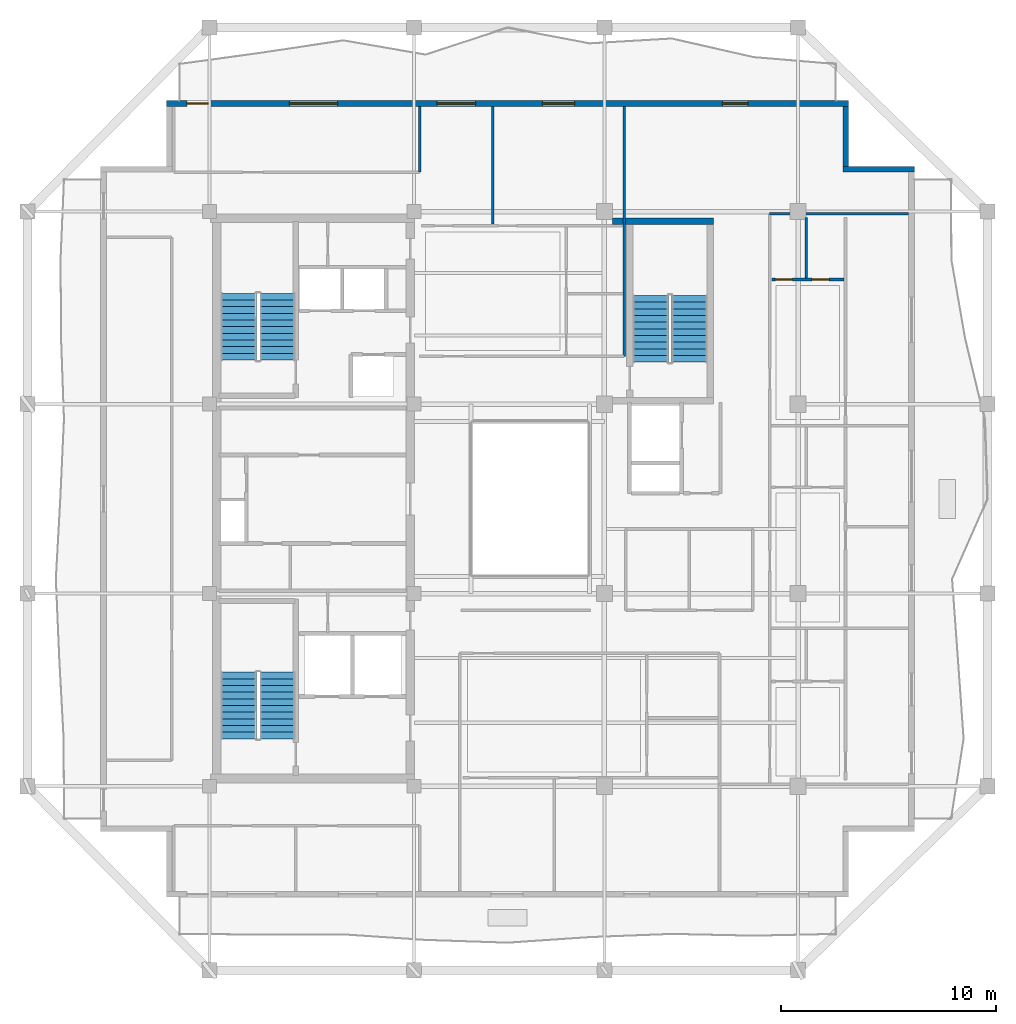
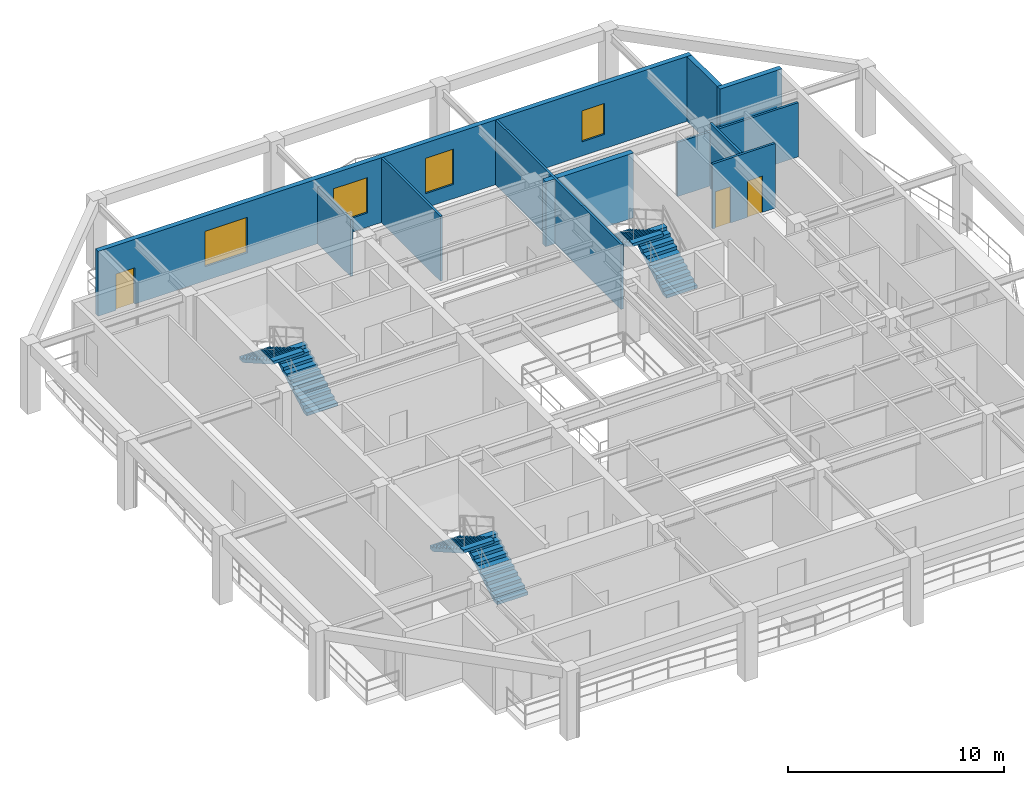
# One storey, part 6 of 10: 10 walls, 6 stair flights, 4 windows, 3 doors, 7 openings, 3 elements without a shape of their own.
"""IFC4 building model written with IfcOpenShell, lengths in metres."""

from ifc_helpers import new_model, si_unit, direction, frame, frame_2d, origin, place, context, subcontext, project, spatial, polyline, rectangle, outline, extrude, material, layer, layer_set, type_object, element, fill, aggregate, save


model = new_model("IFC4")

# Units and contexts
model_context = context("Model", 3, precision=1e-05, world=origin(), true_north=direction((0.0, 1.0)))
body_context = subcontext(model_context, "Body", "Model", "MODEL_VIEW")
ifc_project = project(units=[si_unit("LENGTHUNIT", "METRE"), si_unit("AREAUNIT", "SQUARE_METRE"), si_unit("VOLUMEUNIT", "CUBIC_METRE"), si_unit("PLANEANGLEUNIT", "RADIAN"), si_unit("MASSUNIT", "GRAM", prefix="KILO")], contexts=[model_context])

# Site, building, storey
site_placement = place(None, origin())
site = spatial("IfcSite", under=ifc_project, at=site_placement, CompositionType="ELEMENT")
building_placement = place(site_placement, origin())
building = spatial("IfcBuilding", under=site, at=building_placement, Name="Kundavana Baori Tower", CompositionType="ELEMENT")
storey_placement = place(building_placement, frame((0.0, 0.0, 288.199951171875)))
storey = spatial("IfcBuildingStorey", under=building, at=storey_placement, Name="L71", CompositionType="ELEMENT", Elevation=288.199951171875)

# Walls
ifc_material_1 = material(Name="Kiln-Fired Terracotta Brick-Slip Masonry on Concrete C40/50", Category="masonry")
ifc_layer_1 = layer(ifc_material_1, 0.260009765625, Name="WL-EXT-BRK-260")
ifc_layer_set_1 = layer_set([ifc_layer_1], Name="Kiln-Fired Terracotta Brick-Slip Masonry on Concrete C40/50")
wall_type_1 = type_object("IfcWallType", Name="WL-EXT-BRK-260", PredefinedType="SOLIDWALL", material=ifc_layer_set_1)
wall_1_placement = place(storey_placement, frame((48.199951171875, 43.919921875, 0.0), z_axis=(0.0, 0.0, 1.0), x_axis=(-1.0, 0.0, 0.0)))
element("IfcWall", 1, at=wall_1_placement, inside=storey, type_object=wall_type_1, Name="L71 Exterior Insulated Facade Wall 05", PredefinedType="SOLIDWALL", context=body_context, shape_type="SweptSolid", body=[
    extrude(rectangle(XDim=3.31005859375, YDim=0.260009765625, at=frame_2d((1.655029296875, 0.0))), origin(), (0.0, 0.0, 1.0), 3.66015625),
])
wall_2_placement = place(storey_placement, frame((45.02001953125, 44.050048828125, 0.0), z_axis=(0.0, 0.0, 1.0), x_axis=(0.0, 1.0, 0.0)))
element("IfcWall", 2, at=wall_2_placement, inside=storey, type_object=wall_type_1, Name="L71 Exterior Insulated Facade Wall 06", PredefinedType="SOLIDWALL", context=body_context, shape_type="SweptSolid", body=[
    extrude(rectangle(XDim=2.7900390625, YDim=0.260009765625, at=frame_2d((1.39501953125, 0.0))), origin(), (0.0, 0.0, 1.0), 3.66015625),
])

# Wall, openings, door, windows
wall_3_placement = place(storey_placement, frame((45.14990234375, 46.969970703125, 0.0), z_axis=(0.0, 0.0, 1.0), x_axis=(-1.0, 0.0, 0.0)))
wall_3 = element("IfcWall", 3, at=wall_3_placement, inside=storey, type_object=wall_type_1, Name="L71 Exterior Insulated Facade Wall 07", PredefinedType="SOLIDWALL", context=body_context, shape_type="SweptSolid", body=[
    extrude(rectangle(XDim=31.699951171875, YDim=0.260009765625, at=frame_2d((15.85009765625, 0.0))), origin(), (0.0, 0.0, 1.0), 3.66015625),
])
opening_1_placement = place(wall_3_placement, frame((29.75, 0.0, 0.0)))
opening_1 = element("IfcOpeningElement", 4, at=opening_1_placement, cuts=wall_3, Name="Opening BD-1", PredefinedType="OPENING", context=body_context, shape_type="SweptSolid", body=[
    extrude(rectangle(XDim=1.0, YDim=2.050048828125, at=frame_2d((0.5, 1.02490234375))), frame((0.0, 0.14013671875, 0.0), z_axis=(0.0, -1.0, 0.0), x_axis=(1.0, 0.0, 0.0)), (0.0, 0.0, 1.0), 0.280029296875),
])
opening_2_placement = place(wall_3_placement, frame((23.739990234375, 0.0, 0.800048828125)))
opening_2 = element("IfcOpeningElement", 5, at=opening_2_placement, cuts=wall_3, Name="Opening W-10", PredefinedType="OPENING", context=body_context, shape_type="SweptSolid", body=[
    extrude(rectangle(XDim=2.25, YDim=2.0, at=frame_2d((1.125, 1.0))), frame((0.0, 0.14013671875, 0.0), z_axis=(0.0, -1.0, 0.0), x_axis=(1.0, 0.0, 0.0)), (0.0, 0.0, 1.0), 0.280029296875),
])
opening_3_placement = place(wall_3_placement, frame((17.327880859375, 0.0, 0.800048828125)))
opening_3 = element("IfcOpeningElement", 6, at=opening_3_placement, cuts=wall_3, Name="Opening W-01", PredefinedType="OPENING", context=body_context, shape_type="SweptSolid", body=[
    extrude(rectangle(XDim=1.800048828125, YDim=2.0, at=frame_2d((0.89990234375, 1.0))), frame((0.0, 0.14013671875, 0.0), z_axis=(0.0, -1.0, 0.0), x_axis=(1.0, 0.0, 0.0)), (0.0, 0.0, 1.0), 0.280029296875),
])
opening_4_placement = place(wall_3_placement, frame((12.72802734375, 0.0, 0.800048828125)))
opening_4 = element("IfcOpeningElement", 7, at=opening_4_placement, cuts=wall_3, Name="Opening W-02", PredefinedType="OPENING", context=body_context, shape_type="SweptSolid", body=[
    extrude(rectangle(XDim=1.5, YDim=2.0, at=frame_2d((0.75, 1.0))), frame((0.0, 0.14013671875, 0.0), z_axis=(0.0, -1.0, 0.0), x_axis=(1.0, 0.0, 0.0)), (0.0, 0.0, 1.0), 0.280029296875),
])
opening_5_placement = place(wall_3_placement, frame((4.669921875, 0.0, 0.800048828125)))
opening_5 = element("IfcOpeningElement", 8, at=opening_5_placement, cuts=wall_3, Name="Opening W-03", PredefinedType="OPENING", context=body_context, shape_type="SweptSolid", body=[
    extrude(rectangle(XDim=1.199951171875, YDim=1.75, at=frame_2d((0.60009765625, 0.875))), frame((0.0, 0.14013671875, 0.0), z_axis=(0.0, -1.0, 0.0), x_axis=(1.0, 0.0, 0.0)), (0.0, 0.0, 1.0), 0.280029296875),
])
ifc_material_2 = material(Name="Architectural Patinated Bronze Metalwork")
door_type_1 = type_object("IfcDoorType", Name="DR-EXT-LOG-1000", OperationType="NOTDEFINED", PredefinedType="DOOR", material=ifc_material_2)
door_1_placement = place(opening_1_placement, frame((1.0, 0.0, 0.0), z_axis=(0.0, 0.0, 1.0), x_axis=(-1.0, 0.0, 0.0)))
door_1 = element("IfcDoor", 9, at=door_1_placement, inside=storey, type_object=door_type_1, Name="L71 Loggia Balcony Access Door N", OperationType="SINGLE_SWING_LEFT", OverallHeight=2.050048828125, OverallWidth=1.0, PredefinedType="DOOR", context=body_context, shape_type="SweptSolid", body=[
    extrude(rectangle(XDim=1.0, YDim=2.050048828125, at=frame_2d((0.5, 1.02490234375))), frame((0.0, 0.02490234375, 0.0), z_axis=(0.0, -1.0, 0.0), x_axis=(1.0, 0.0, 0.0)), (0.0, 0.0, 1.0), 0.050048828125),
])
fill(opening_1, door_1)
ifc_material_3 = material(Name="Double-Glazed Solar-Control Low-E Insulated Glass", Category="glass")
window_type_1 = type_object("IfcWindowType", Name="WIN-LOG-1200x1750", PartitioningType="SINGLE_PANEL", PredefinedType="WINDOW", material=ifc_material_3)
window_1_placement = place(opening_5_placement, origin())
window_1 = element("IfcWindow", 10, at=window_1_placement, inside=storey, type_object=window_type_1, Name="L71 Recessed Loggia Window N-4", OverallHeight=1.75, OverallWidth=1.199951171875, PartitioningType="SINGLE_PANEL", PredefinedType="WINDOW", context=body_context, shape_type="SweptSolid", body=[
    extrude(rectangle(XDim=1.199951171875, YDim=1.75, at=frame_2d((0.60009765625, 0.875))), frame((0.0, 0.030029296875, 0.0), z_axis=(0.0, -1.0, 0.0), x_axis=(1.0, 0.0, 0.0)), (0.0, 0.0, 1.0), 0.06005859375),
])
fill(opening_5, window_1)
ifc_material_4 = material(Name="Double-Glazed Solar-Control Low-E Insulated Glass", Category="glass")
window_type_2 = type_object("IfcWindowType", Name="WIN-LOG-1500x2000", PartitioningType="SINGLE_PANEL", PredefinedType="WINDOW", material=ifc_material_4)
window_2_placement = place(opening_4_placement, origin())
window_2 = element("IfcWindow", 11, at=window_2_placement, inside=storey, type_object=window_type_2, Name="L71 Recessed Loggia Window N-3", OverallHeight=2.0, OverallWidth=1.5, PartitioningType="SINGLE_PANEL", PredefinedType="WINDOW", context=body_context, shape_type="SweptSolid", body=[
    extrude(rectangle(XDim=1.5, YDim=2.0, at=frame_2d((0.75, 1.0))), frame((0.0, 0.030029296875, 0.0), z_axis=(0.0, -1.0, 0.0), x_axis=(1.0, 0.0, 0.0)), (0.0, 0.0, 1.0), 0.06005859375),
])
fill(opening_4, window_2)
ifc_material_5 = material(Name="Double-Glazed Solar-Control Low-E Insulated Glass", Category="glass")
window_type_3 = type_object("IfcWindowType", Name="WIN-LOG-1800x2000", PartitioningType="SINGLE_PANEL", PredefinedType="WINDOW", material=ifc_material_5)
window_3_placement = place(opening_3_placement, origin())
window_3 = element("IfcWindow", 12, at=window_3_placement, inside=storey, type_object=window_type_3, Name="L71 Recessed Loggia Window N-2", OverallHeight=2.0, OverallWidth=1.800048828125, PartitioningType="SINGLE_PANEL", PredefinedType="WINDOW", context=body_context, shape_type="SweptSolid", body=[
    extrude(rectangle(XDim=1.800048828125, YDim=2.0, at=frame_2d((0.89990234375, 1.0))), frame((0.0, 0.030029296875, 0.0), z_axis=(0.0, -1.0, 0.0), x_axis=(1.0, 0.0, 0.0)), (0.0, 0.0, 1.0), 0.06005859375),
])
fill(opening_3, window_3)
ifc_material_6 = material(Name="Double-Glazed Solar-Control Low-E Insulated Glass", Category="glass")
window_type_4 = type_object("IfcWindowType", Name="WIN-LOG-2250x2000", PartitioningType="SINGLE_PANEL", PredefinedType="WINDOW", material=ifc_material_6)
window_4_placement = place(opening_2_placement, origin())
window_4 = element("IfcWindow", 13, at=window_4_placement, inside=storey, type_object=window_type_4, Name="L71 Recessed Loggia Window N-1", OverallHeight=2.0, OverallWidth=2.25, PartitioningType="SINGLE_PANEL", PredefinedType="WINDOW", context=body_context, shape_type="SweptSolid", body=[
    extrude(rectangle(XDim=2.25, YDim=2.0, at=frame_2d((1.125, 1.0))), frame((0.0, 0.030029296875, 0.0), z_axis=(0.0, -1.0, 0.0), x_axis=(1.0, 0.0, 0.0)), (0.0, 0.0, 1.0), 0.06005859375),
])
fill(opening_2, window_4)

# Walls
ifc_material_7 = material(Name="Acoustic Gypsum Plasterboard on Galvanised Steel Studs", Category="steel")
ifc_layer_2 = layer(ifc_material_7, 0.1201171875, Name="WL-PART-120")
ifc_layer_set_2 = layer_set([ifc_layer_2], Name="Acoustic Gypsum Plasterboard on Galvanised Steel Studs")
wall_type_2 = type_object("IfcWallType", Name="WL-PART-120", PredefinedType="PARTITIONING", material=ifc_layer_set_2)
wall_4_placement = place(storey_placement, frame((25.219970703125, 43.780029296875, 0.0), z_axis=(0.0, 0.0, 1.0), x_axis=(0.0, 1.0, 0.0)))
element("IfcWall", 14, at=wall_4_placement, inside=storey, type_object=wall_type_2, Name="WL-L71-RNCE", PredefinedType="PARTITIONING", context=body_context, shape_type="SweptSolid", body=[
    extrude(rectangle(XDim=3.0400390625, YDim=0.1201171875, at=frame_2d((1.52001953125, 0.0))), origin(), (0.0, 0.0, 1.0), 3.2099609375),
])
wall_5_placement = place(storey_placement, frame((34.719970703125, 35.219970703125, 0.0), z_axis=(0.0, 0.0, 1.0), x_axis=(0.0, 1.0, 0.0)))
element("IfcWall", 15, at=wall_5_placement, inside=storey, type_object=wall_type_2, Name="WL-L71-RNEND", PredefinedType="PARTITIONING", context=body_context, shape_type="SweptSolid", body=[
    extrude(rectangle(XDim=11.60009765625, YDim=0.1201171875, at=frame_2d((5.800048828125, 0.0))), origin(), (0.0, 0.0, 1.0), 3.66015625),
])
wall_6_placement = place(storey_placement, frame((28.623046875, 41.3701171875, 0.0), z_axis=(0.0, 0.0, 1.0), x_axis=(0.0, 1.0, 0.0)))
element("IfcWall", 16, at=wall_6_placement, inside=storey, type_object=wall_type_2, Name="WL-L71-N1-BDV", PredefinedType="PARTITIONING", context=body_context, shape_type="SweptSolid", body=[
    extrude(rectangle(XDim=5.449951171875, YDim=0.1201171875, at=frame_2d((2.72509765625, 0.0))), origin(), (0.0, 0.0, 1.0), 3.66015625),
])
wall_7_placement = place(storey_placement, frame((41.47998046875, 41.85009765625, 0.0), z_axis=(0.0, 0.0, 1.0), x_axis=(1.0, 0.0, 0.0)))
element("IfcWall", 17, at=wall_7_placement, inside=storey, type_object=wall_type_2, Name="WL-L71-REN", PredefinedType="PARTITIONING", context=body_context, shape_type="SweptSolid", body=[
    extrude(rectangle(XDim=6.43994140625, YDim=0.1201171875, at=frame_2d((3.219970703125, 0.0))), origin(), (0.0, 0.0, 1.0), 3.06005859375),
])
ifc_material_8 = material(Name="Concrete C50/60", Category="concrete")
ifc_layer_3 = layer(ifc_material_8, 0.300048828125, Name="WL-ST3-300")
ifc_layer_set_3 = layer_set([ifc_layer_3], Name="Concrete C50/60")
wall_type_3 = type_object("IfcWallType", Name="WL-ST3-300", PredefinedType="SHEAR", material=ifc_layer_set_3)
wall_8_placement = place(storey_placement, frame((34.175048828125, 41.489990234375, 0.0), z_axis=(0.0, 0.0, 1.0), x_axis=(1.0, 0.0, 0.0)))
element("IfcWall", 18, at=wall_8_placement, inside=storey, type_object=wall_type_3, Name="L71 Stair ST3 North Shear Wall", PredefinedType="SHEAR", context=body_context, shape_type="SweptSolid", body=[
    extrude(rectangle(XDim=4.695068359375, YDim=0.300048828125, at=frame_2d((2.34765625, 0.0))), origin(), (0.0, 0.0, 1.0), 3.66015625),
])

# Wall, openings, doors
ifc_material_9 = material(Name="Autoclaved Aerated Concrete Blockwork Masonry", Category="masonry")
ifc_layer_4 = layer(ifc_material_9, 0.125, Name="WL-WET-120")
ifc_layer_set_4 = layer_set([ifc_layer_4], Name="Autoclaved Aerated Concrete Blockwork Masonry")
wall_type_4 = type_object("IfcWallType", Name="WL-WET-120", PredefinedType="PLUMBINGWALL", material=ifc_layer_set_4)
wall_9_placement = place(storey_placement, frame((41.580078125, 38.79296875, 0.0), z_axis=(0.0, 0.0, 1.0), x_axis=(1.0, 0.0, 0.0)))
wall_9 = element("IfcWall", 19, at=wall_9_placement, inside=storey, type_object=wall_type_4, Name="WL-L71-E3-KH", PredefinedType="PLUMBINGWALL", context=body_context, shape_type="SweptSolid", body=[
    extrude(rectangle(XDim=3.343994140625, YDim=0.125, at=frame_2d((1.671875, 0.0))), origin(), (0.0, 0.0, 1.0), 3.66015625),
])
opening_6_placement = place(wall_9_placement, frame((0.159912109375, 0.0, 0.0)))
opening_6 = element("IfcOpeningElement", 20, at=opening_6_placement, cuts=wall_9, Name="Opening WD-080", PredefinedType="OPENING", context=body_context, shape_type="SweptSolid", body=[
    extrude(rectangle(XDim=0.800048828125, YDim=2.050048828125, at=frame_2d((0.39990234375, 1.02490234375))), frame((0.0, 0.072509765625, 0.0), z_axis=(0.0, -1.0, 0.0), x_axis=(1.0, 0.0, 0.0)), (0.0, 0.0, 1.0), 0.14501953125),
])
opening_7_placement = place(wall_9_placement, frame((1.864990234375, 0.0, 0.0)))
opening_7 = element("IfcOpeningElement", 21, at=opening_7_placement, cuts=wall_9, Name="Opening WD-080", PredefinedType="OPENING", context=body_context, shape_type="SweptSolid", body=[
    extrude(rectangle(XDim=0.800048828125, YDim=2.050048828125, at=frame_2d((0.39990234375, 1.02490234375))), frame((0.0, 0.072509765625, 0.0), z_axis=(0.0, -1.0, 0.0), x_axis=(1.0, 0.0, 0.0)), (0.0, 0.0, 1.0), 0.14501953125),
])
ifc_material_10 = material(Name="Engineered Teak Solid-Core Timber Veneer", Category="wood")
door_type_2 = type_object("IfcDoorType", Name="DR-WET-800", OperationType="NOTDEFINED", PredefinedType="DOOR", material=ifc_material_10)
door_2_placement = place(opening_6_placement, origin())
door_2 = element("IfcDoor", 22, at=door_2_placement, inside=storey, type_object=door_type_2, Name="DR-L71-E3-BT", OperationType="SINGLE_SWING_LEFT", OverallHeight=2.050048828125, OverallWidth=0.800048828125, PredefinedType="DOOR", context=body_context, shape_type="SweptSolid", body=[
    extrude(rectangle(XDim=0.800048828125, YDim=2.050048828125, at=frame_2d((0.39990234375, 1.02490234375))), frame((0.0, 0.02490234375, 0.0), z_axis=(0.0, -1.0, 0.0), x_axis=(1.0, 0.0, 0.0)), (0.0, 0.0, 1.0), 0.050048828125),
])
fill(opening_6, door_2)
door_3_placement = place(opening_7_placement, origin())
door_3 = element("IfcDoor", 23, at=door_3_placement, inside=storey, type_object=door_type_2, Name="DR-L71-E3-KT", OperationType="SINGLE_SWING_RIGHT", OverallHeight=2.050048828125, OverallWidth=0.800048828125, PredefinedType="DOOR", context=body_context, shape_type="SweptSolid", body=[
    extrude(rectangle(XDim=0.800048828125, YDim=2.050048828125, at=frame_2d((0.39990234375, 1.02490234375))), frame((0.0, 0.02490234375, 0.0), z_axis=(0.0, -1.0, 0.0), x_axis=(1.0, 0.0, 0.0)), (0.0, 0.0, 1.0), 0.050048828125),
])
fill(opening_7, door_3)

# Wall
wall_10_placement = place(storey_placement, frame((43.18505859375, 38.873046875, 0.0), z_axis=(0.0, 0.0, 1.0), x_axis=(0.0, 1.0, 0.0)))
element("IfcWall", 24, at=wall_10_placement, inside=storey, type_object=wall_type_4, Name="WL-L71-E3-BV", PredefinedType="PLUMBINGWALL", context=body_context, shape_type="SweptSolid", body=[
    extrude(rectangle(XDim=2.796875, YDim=0.125, at=frame_2d((1.3984375, 0.0))), origin(), (0.0, 0.0, 1.0), 3.66015625),
])

# Stair, stair flights
ifc_material_11 = material(Name="Concrete C40/50", Category="concrete")
stair_type = type_object("IfcStairType", Name="STR-DOG-1650", PredefinedType="HALF_TURN_STAIR", material=ifc_material_11)
stair_1_placement = place(storey_placement, origin())
stair_1 = element("IfcStair", 25, at=stair_1_placement, inside=storey, type_object=stair_type, Name="L71 Protected Exit Stair ST1", PredefinedType="HALF_TURN_STAIR")
ifc_material_12 = material(Name="Concrete C40/50", Category="concrete")
stair_flight_type = type_object("IfcStairFlightType", Name="SFL-RC-1650", PredefinedType="STRAIGHT", material=ifc_material_12)
stair_flight_1_placement = place(storey_placement, frame((18.614990234375, 17.449951171875, 0.0), z_axis=(0.0, 0.0, 1.0), x_axis=(0.0, 1.0, 0.0)))
stair_flight_1 = element("IfcStairFlight", 26, at=stair_flight_1_placement, type_object=stair_flight_type, Name="ST1 flight 1", NumberOfRisers=11, NumberOfTreads=10, PredefinedType="STRAIGHT", RiserHeight=0.177272727, TreadLength=0.31, context=body_context, shape_type="SweptSolid", body=[
    extrude(outline(polyline([(0.0, 0.0), (0.0, 0.17724609375), (0.31005859375, 0.17724609375), (0.31005859375, 0.3544921875), (0.6201171875, 0.3544921875), (0.6201171875, 0.53173828125), (0.929931640625, 0.53173828125), (0.929931640625, 0.708984375), (1.239990234375, 0.708984375), (1.239990234375, 0.886474609375), (1.550048828125, 0.886474609375), (1.550048828125, 1.063720703125), (1.860107421875, 1.063720703125), (1.860107421875, 1.240966796875), (2.169921875, 1.240966796875), (2.169921875, 1.418212890625), (2.47998046875, 1.418212890625), (2.47998046875, 1.595458984375), (2.7900390625, 1.595458984375), (2.7900390625, 1.772705078125), (3.10009765625, 1.772705078125), (3.10009765625, 1.949951171875), (3.10009765625, 1.60009765625), (0.302001953125, 0.0), (0.0, 0.0)])), frame((0.0, 0.824951171875, 0.0), z_axis=(0.0, -1.0, 0.0), x_axis=(1.0, 0.0, 0.0)), (0.0, 0.0, 1.0), 1.64990234375),
])
stair_flight_2_placement = place(storey_placement, frame((16.804931640625, 20.550048828125, 1.949951171875), z_axis=(0.0, 0.0, 1.0), x_axis=(0.0, -1.0, 0.0)))
stair_flight_2 = element("IfcStairFlight", 27, at=stair_flight_2_placement, type_object=stair_flight_type, Name="ST1 flight 2", NumberOfRisers=11, NumberOfTreads=10, PredefinedType="STRAIGHT", RiserHeight=0.177272727, TreadLength=0.31, context=body_context, shape_type="SweptSolid", body=[
    extrude(outline(polyline([(0.0, 0.0), (0.0, 0.17724609375), (0.31005859375, 0.17724609375), (0.31005859375, 0.3544921875), (0.6201171875, 0.3544921875), (0.6201171875, 0.53173828125), (0.929931640625, 0.53173828125), (0.929931640625, 0.708984375), (1.239990234375, 0.708984375), (1.239990234375, 0.886474609375), (1.550048828125, 0.886474609375), (1.550048828125, 1.063720703125), (1.860107421875, 1.063720703125), (1.860107421875, 1.240966796875), (2.169921875, 1.240966796875), (2.169921875, 1.418212890625), (2.47998046875, 1.418212890625), (2.47998046875, 1.595458984375), (2.7900390625, 1.595458984375), (2.7900390625, 1.772705078125), (3.10009765625, 1.772705078125), (3.10009765625, 1.949951171875), (3.10009765625, 1.60009765625), (0.302001953125, 0.0), (0.0, 0.0)])), frame((0.0, 0.824951171875, 0.0), z_axis=(0.0, -1.0, 0.0), x_axis=(1.0, 0.0, 0.0)), (0.0, 0.0, 1.0), 1.64990234375),
])
aggregate(stair_1, [stair_flight_1, stair_flight_2])

stair_2_placement = place(storey_placement, origin())
stair_2 = element("IfcStair", 28, at=stair_2_placement, inside=storey, type_object=stair_type, Name="L71 Protected Exit Stair ST2", PredefinedType="HALF_TURN_STAIR")
stair_flight_3_placement = place(storey_placement, frame((18.614990234375, 35.050048828125, 0.0), z_axis=(0.0, 0.0, 1.0), x_axis=(0.0, 1.0, 0.0)))
stair_flight_3 = element("IfcStairFlight", 29, at=stair_flight_3_placement, type_object=stair_flight_type, Name="ST2 flight 1", NumberOfRisers=11, NumberOfTreads=10, PredefinedType="STRAIGHT", RiserHeight=0.177272727, TreadLength=0.31, context=body_context, shape_type="SweptSolid", body=[
    extrude(outline(polyline([(0.0, 0.0), (0.0, 0.17724609375), (0.31005859375, 0.17724609375), (0.31005859375, 0.3544921875), (0.6201171875, 0.3544921875), (0.6201171875, 0.53173828125), (0.929931640625, 0.53173828125), (0.929931640625, 0.708984375), (1.239990234375, 0.708984375), (1.239990234375, 0.886474609375), (1.550048828125, 0.886474609375), (1.550048828125, 1.063720703125), (1.860107421875, 1.063720703125), (1.860107421875, 1.240966796875), (2.169921875, 1.240966796875), (2.169921875, 1.418212890625), (2.47998046875, 1.418212890625), (2.47998046875, 1.595458984375), (2.7900390625, 1.595458984375), (2.7900390625, 1.772705078125), (3.10009765625, 1.772705078125), (3.10009765625, 1.949951171875), (3.10009765625, 1.60009765625), (0.302001953125, 0.0), (0.0, 0.0)])), frame((0.0, 0.824951171875, 0.0), z_axis=(0.0, -1.0, 0.0), x_axis=(1.0, 0.0, 0.0)), (0.0, 0.0, 1.0), 1.64990234375),
])
stair_flight_4_placement = place(storey_placement, frame((16.804931640625, 38.14990234375, 1.949951171875), z_axis=(0.0, 0.0, 1.0), x_axis=(0.0, -1.0, 0.0)))
stair_flight_4 = element("IfcStairFlight", 30, at=stair_flight_4_placement, type_object=stair_flight_type, Name="ST2 flight 2", NumberOfRisers=11, NumberOfTreads=10, PredefinedType="STRAIGHT", RiserHeight=0.177272727, TreadLength=0.31, context=body_context, shape_type="SweptSolid", body=[
    extrude(outline(polyline([(0.0, 0.0), (0.0, 0.17724609375), (0.31005859375, 0.17724609375), (0.31005859375, 0.3544921875), (0.6201171875, 0.3544921875), (0.6201171875, 0.53173828125), (0.929931640625, 0.53173828125), (0.929931640625, 0.708984375), (1.239990234375, 0.708984375), (1.239990234375, 0.886474609375), (1.550048828125, 0.886474609375), (1.550048828125, 1.063720703125), (1.860107421875, 1.063720703125), (1.860107421875, 1.240966796875), (2.169921875, 1.240966796875), (2.169921875, 1.418212890625), (2.47998046875, 1.418212890625), (2.47998046875, 1.595458984375), (2.7900390625, 1.595458984375), (2.7900390625, 1.772705078125), (3.10009765625, 1.772705078125), (3.10009765625, 1.949951171875), (3.10009765625, 1.60009765625), (0.302001953125, 0.0), (0.0, 0.0)])), frame((0.0, 0.824951171875, 0.0), z_axis=(0.0, -1.0, 0.0), x_axis=(1.0, 0.0, 0.0)), (0.0, 0.0, 1.0), 1.64990234375),
])
aggregate(stair_2, [stair_flight_3, stair_flight_4])

stair_3_placement = place(storey_placement, origin())
stair_3 = element("IfcStair", 31, at=stair_3_placement, inside=storey, type_object=stair_type, Name="L71 Protected Exit Stair ST3", PredefinedType="HALF_TURN_STAIR")
stair_flight_5_placement = place(storey_placement, frame((37.7548828125, 34.949951171875, 0.0), z_axis=(0.0, 0.0, 1.0), x_axis=(0.0, 1.0, 0.0)))
stair_flight_5 = element("IfcStairFlight", 32, at=stair_flight_5_placement, type_object=stair_flight_type, Name="ST3 flight 1", NumberOfRisers=11, NumberOfTreads=10, PredefinedType="STRAIGHT", RiserHeight=0.177272727, TreadLength=0.31, context=body_context, shape_type="SweptSolid", body=[
    extrude(outline(polyline([(0.0, 0.0), (0.0, 0.17724609375), (0.31005859375, 0.17724609375), (0.31005859375, 0.3544921875), (0.6201171875, 0.3544921875), (0.6201171875, 0.53173828125), (0.929931640625, 0.53173828125), (0.929931640625, 0.708984375), (1.239990234375, 0.708984375), (1.239990234375, 0.886474609375), (1.550048828125, 0.886474609375), (1.550048828125, 1.063720703125), (1.860107421875, 1.063720703125), (1.860107421875, 1.240966796875), (2.169921875, 1.240966796875), (2.169921875, 1.418212890625), (2.47998046875, 1.418212890625), (2.47998046875, 1.595458984375), (2.7900390625, 1.595458984375), (2.7900390625, 1.772705078125), (3.10009765625, 1.772705078125), (3.10009765625, 1.949951171875), (3.10009765625, 1.60009765625), (0.302001953125, 0.0), (0.0, 0.0)])), frame((0.0, 0.824951171875, 0.0), z_axis=(0.0, -1.0, 0.0), x_axis=(1.0, 0.0, 0.0)), (0.0, 0.0, 1.0), 1.64990234375),
])
stair_flight_6_placement = place(storey_placement, frame((35.945068359375, 38.050048828125, 1.949951171875), z_axis=(0.0, 0.0, 1.0), x_axis=(0.0, -1.0, 0.0)))
stair_flight_6 = element("IfcStairFlight", 33, at=stair_flight_6_placement, type_object=stair_flight_type, Name="ST3 flight 2", NumberOfRisers=11, NumberOfTreads=10, PredefinedType="STRAIGHT", RiserHeight=0.177272727, TreadLength=0.31, context=body_context, shape_type="SweptSolid", body=[
    extrude(outline(polyline([(0.0, 0.0), (0.0, 0.17724609375), (0.31005859375, 0.17724609375), (0.31005859375, 0.3544921875), (0.6201171875, 0.3544921875), (0.6201171875, 0.53173828125), (0.929931640625, 0.53173828125), (0.929931640625, 0.708984375), (1.239990234375, 0.708984375), (1.239990234375, 0.886474609375), (1.550048828125, 0.886474609375), (1.550048828125, 1.063720703125), (1.860107421875, 1.063720703125), (1.860107421875, 1.240966796875), (2.169921875, 1.240966796875), (2.169921875, 1.418212890625), (2.47998046875, 1.418212890625), (2.47998046875, 1.595458984375), (2.7900390625, 1.595458984375), (2.7900390625, 1.772705078125), (3.10009765625, 1.772705078125), (3.10009765625, 1.949951171875), (3.10009765625, 1.60009765625), (0.302001953125, 0.0), (0.0, 0.0)])), frame((0.0, 0.824951171875, 0.0), z_axis=(0.0, -1.0, 0.0), x_axis=(1.0, 0.0, 0.0)), (0.0, 0.0, 1.0), 1.64990234375),
])
aggregate(stair_3, [stair_flight_5, stair_flight_6])

save(model, "model.ifc")
